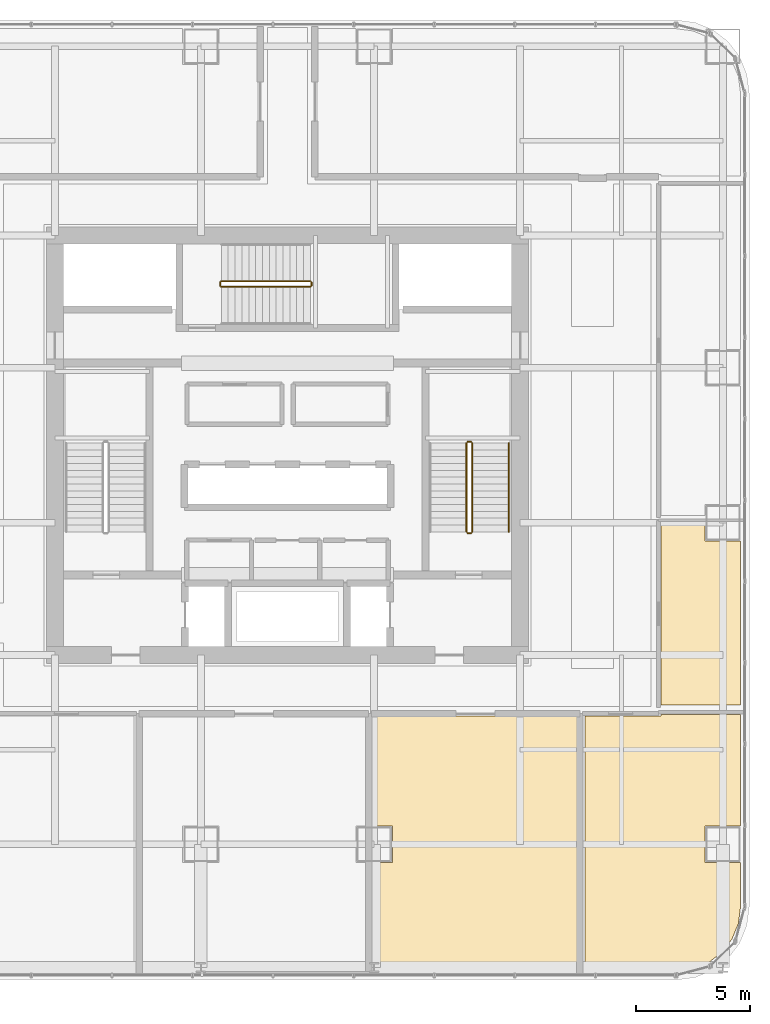
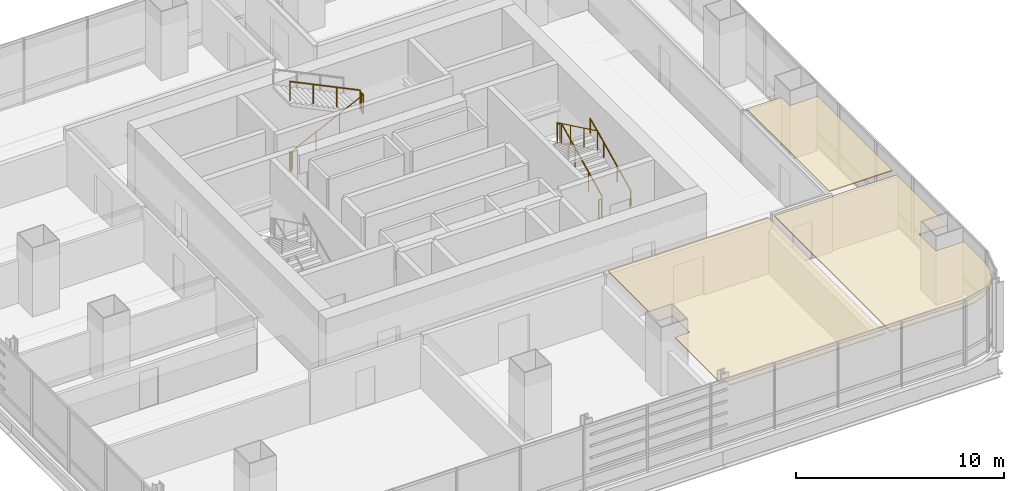
# One storey, part 35 of 36: 9 railings, 3 coverings.
"""IFC4 building model written with IfcOpenShell, lengths in metres."""

from ifc_helpers import new_model, si_unit, direction, frame, origin, origin_2d, place, context, subcontext, project, spatial, polyline, circle, outline, extrude, material, layer, layer_set, type_object, element, save


model = new_model("IFC4")

# Units and contexts
model_context = context("Model", 3, precision=1e-05, world=origin(), true_north=direction((0.0, 1.0)))
body_context = subcontext(model_context, "Body", "Model", "MODEL_VIEW")
ifc_project = project(units=[si_unit("LENGTHUNIT", "METRE"), si_unit("AREAUNIT", "SQUARE_METRE"), si_unit("VOLUMEUNIT", "CUBIC_METRE"), si_unit("PLANEANGLEUNIT", "RADIAN"), si_unit("MASSUNIT", "GRAM", prefix="KILO")], contexts=[model_context])

# Site, building, storey
site_placement = place(None, origin())
site = spatial("IfcSite", under=ifc_project, at=site_placement, CompositionType="ELEMENT")
building_placement = place(site_placement, origin())
building = spatial("IfcBuilding", under=site, at=building_placement, Name="Punatoya Terracotta Tower", CompositionType="ELEMENT")
storey_placement = place(building_placement, frame((0.0, 0.0, 48.449951171875)))
storey = spatial("IfcBuildingStorey", under=building, at=storey_placement, Name="L10", CompositionType="ELEMENT", Elevation=48.449951171875)

# Coverings
ifc_material_1 = material(Name="Acoustic Mineral Fibre Ceiling")
ifc_layer = layer(ifc_material_1, 0.06005859375)
ifc_layer_set = layer_set([ifc_layer], Name="Acoustic Mineral Fibre Ceiling")
covering_type = type_object("IfcCoveringType", Name="COV-CEIL-60", PredefinedType="CEILING", material=ifc_layer_set)
covering_1_placement = place(storey_placement, frame((0.0, 0.0, 3.199951171875)))
element("IfcCovering", 1, at=covering_1_placement, inside=storey, type_object=covering_type, Name="L10 Open-Plan Executive Bistro Lounge Acoustic Ceiling", PredefinedType="CEILING", context=body_context, shape_type="SweptSolid", body=[
    extrude(outline(polyline([(3.779052734375, -22.626953125), (4.05810546875, -22.626953125), (4.05810546875, -23.070068359375), (12.718994140625, -23.070068359375), (12.718994140625, -11.8701171875), (3.779052734375, -11.8701171875), (3.779052734375, -16.699951171875), (4.60009765625, -16.699951171875), (4.60009765625, -18.300048828125), (3.779052734375, -18.300048828125), (3.779052734375, -22.626953125)])), origin(), (0.0, 0.0, 1.0), 0.06005859375),
])
covering_2_placement = place(storey_placement, frame((0.0, 0.0, 3.199951171875)))
element("IfcCovering", 2, at=covering_2_placement, inside=storey, type_object=covering_type, Name="L10 Open-Plan Visitor Reception Salon Acoustic Ceiling", PredefinedType="CEILING", context=body_context, shape_type="SweptSolid", body=[
    extrude(outline(polyline([(16.3701171875, -11.8701171875), (13.0390625, -11.8701171875), (13.0390625, -23.070068359375), (17.025146484375, -23.070068359375), (17.779052734375, -22.970703125), (18.458251953125, -22.689453125), (19.041748046875, -22.24169921875), (19.489501953125, -21.658203125), (19.770751953125, -20.97900390625), (19.8701171875, -20.22509765625), (19.8701171875, -18.300048828125), (18.300048828125, -18.300048828125), (18.300048828125, -16.699951171875), (19.8701171875, -16.699951171875), (19.8701171875, -11.81005859375), (16.3701171875, -11.81005859375), (16.3701171875, -11.8701171875)])), origin(), (0.0, 0.0, 1.0), 0.06005859375),
])
covering_3_placement = place(storey_placement, frame((0.0, 0.0, 3.199951171875)))
element("IfcCovering", 3, at=covering_3_placement, inside=storey, type_object=covering_type, Name="L10 Open-Plan Private Dining Boardroom Acoustic Ceiling", PredefinedType="CEILING", context=body_context, shape_type="SweptSolid", body=[
    extrude(outline(polyline([(19.8701171875, -11.389892578125), (19.8701171875, -4.199951171875), (18.300048828125, -4.199951171875), (18.300048828125, -3.39404296875), (16.3701171875, -3.39404296875), (16.3701171875, -11.389892578125), (19.8701171875, -11.389892578125)])), origin(), (0.0, 0.0, 1.0), 0.06005859375),
])

# Railings
ifc_material_2 = material(Name="Steel S355", Category="steel")
railing_type_1 = type_object("IfcRailingType", Name="RLG-GRD-1150", PredefinedType="GUARDRAIL", material=ifc_material_2)
railing_1_placement = place(storey_placement, frame((8.10009765625, -3.800048828125, 0.144775390625)))
element("IfcRailing", 4, at=railing_1_placement, inside=storey, type_object=railing_type_1, Name="L10 ST-2 stair guard 1", PredefinedType="GUARDRAIL", context=body_context, shape_type="SweptSolid", body=[
    extrude(circle(Radius=0.02392578125, at=origin_2d()), frame((0.0, 0.0, 1.1259765625), z_axis=(0.0, 0.900773802044, 0.434288564841), x_axis=(-1.0, 0.0, 0.0)), (0.0, 0.0, 1.0), 4.329833984375),
    extrude(circle(Radius=0.02099609375, at=origin_2d()), origin(), (0.0, 0.0, 1.0), 1.101806640625),
    extrude(circle(Radius=0.02099609375, at=origin_2d()), frame((0.0, 1.300048828125, 0.626708984375)), (0.0, 0.0, 1.0), 1.101806640625),
    extrude(circle(Radius=0.02099609375, at=origin_2d()), frame((0.0, 2.60009765625, 1.253662109375)), (0.0, 0.0, 1.0), 1.101806640625),
    extrude(circle(Radius=0.02099609375, at=origin_2d()), frame((0.0, 3.900146484375, 1.88037109375)), (0.0, 0.0, 1.0), 1.101806640625),
])
railing_2_placement = place(storey_placement, frame((8.050048828125, 0.14990234375, 2.025146484375)))
element("IfcRailing", 5, at=railing_2_placement, inside=storey, type_object=railing_type_1, Name="L10 ST-2 stair guard 2", PredefinedType="GUARDRAIL", context=body_context, shape_type="SweptSolid", body=[
    extrude(circle(Radius=0.02392578125, at=origin_2d()), frame((0.0, 0.0, 1.1259765625), z_axis=(-1.0, 0.0, 0.0), x_axis=(0.0, -1.0, 0.0)), (0.0, 0.0, 1.0), 0.150146484375),
    extrude(circle(Radius=0.02099609375, at=origin_2d()), origin(), (0.0, 0.0, 1.0), 1.101806640625),
    extrude(circle(Radius=0.02099609375, at=origin_2d()), frame((-0.150146484375, 0.0, 0.0)), (0.0, 0.0, 1.0), 1.101806640625),
])
railing_3_placement = place(storey_placement, frame((7.85009765625, 0.10009765625, 2.169677734375)))
element("IfcRailing", 6, at=railing_3_placement, inside=storey, type_object=railing_type_1, Name="L10 ST-2 stair guard 3", PredefinedType="GUARDRAIL", context=body_context, shape_type="SweptSolid", body=[
    extrude(circle(Radius=0.02392578125, at=origin_2d()), frame((0.0, 0.0, 1.1259765625), z_axis=(0.0, -0.900773802044, 0.434288564841), x_axis=(1.0, 0.0, 0.0)), (0.0, 0.0, 1.0), 4.329833984375),
    extrude(circle(Radius=0.02099609375, at=origin_2d()), origin(), (0.0, 0.0, 1.0), 1.101806640625),
    extrude(circle(Radius=0.02099609375, at=origin_2d()), frame((0.0, -1.300048828125, 0.626708984375)), (0.0, 0.0, 1.0), 1.101806640625),
    extrude(circle(Radius=0.02099609375, at=origin_2d()), frame((0.0, -2.60009765625, 1.253662109375)), (0.0, 0.0, 1.0), 1.101806640625),
    extrude(circle(Radius=0.02099609375, at=origin_2d()), frame((0.0, -3.900146484375, 1.88037109375)), (0.0, 0.0, 1.0), 1.101806640625),
])
railing_4_placement = place(storey_placement, frame((8.050048828125, -3.85009765625, 0.0)))
element("IfcRailing", 7, at=railing_4_placement, inside=storey, type_object=railing_type_1, Name="L10 ST-2 stair guard 4", PredefinedType="GUARDRAIL", context=body_context, shape_type="SweptSolid", body=[
    extrude(circle(Radius=0.02392578125, at=origin_2d()), frame((0.0, 0.0, 1.1259765625), z_axis=(-1.0, 0.0, 0.0), x_axis=(0.0, -1.0, 0.0)), (0.0, 0.0, 1.0), 0.150146484375),
    extrude(circle(Radius=0.02099609375, at=origin_2d()), origin(), (0.0, 0.0, 1.0), 1.101806640625),
    extrude(circle(Radius=0.02099609375, at=origin_2d()), frame((-0.150146484375, 0.0, 0.0)), (0.0, 0.0, 1.0), 1.101806640625),
])
railing_5_placement = place(storey_placement, frame((-2.89990234375, 6.949951171875, 0.144775390625)))
element("IfcRailing", 8, at=railing_5_placement, inside=storey, type_object=railing_type_1, Name="L10 ST-3 stair guard 1", PredefinedType="GUARDRAIL", context=body_context, shape_type="SweptSolid", body=[
    extrude(circle(Radius=0.02392578125, at=origin_2d()), frame((0.0, 0.0, 1.1259765625), z_axis=(0.900763166376, 0.0, 0.434310623978), x_axis=(0.0, 1.0, 0.0)), (0.0, 0.0, 1.0), 4.32958984375),
    extrude(circle(Radius=0.02099609375, at=origin_2d()), origin(), (0.0, 0.0, 1.0), 1.101806640625),
    extrude(circle(Radius=0.02099609375, at=origin_2d()), frame((1.300048828125, 0.0, 0.626708984375)), (0.0, 0.0, 1.0), 1.101806640625),
    extrude(circle(Radius=0.02099609375, at=origin_2d()), frame((2.599853515625, 0.0, 1.253662109375)), (0.0, 0.0, 1.0), 1.101806640625),
    extrude(circle(Radius=0.02099609375, at=origin_2d()), frame((3.89990234375, 0.0, 1.88037109375)), (0.0, 0.0, 1.0), 1.101806640625),
])
railing_6_placement = place(storey_placement, frame((1.050048828125, 7.0, 2.025146484375)))
element("IfcRailing", 9, at=railing_6_placement, inside=storey, type_object=railing_type_1, Name="L10 ST-3 stair guard 2", PredefinedType="GUARDRAIL", context=body_context, shape_type="SweptSolid", body=[
    extrude(circle(Radius=0.02392578125, at=origin_2d()), frame((0.0, 0.0, 1.1259765625), z_axis=(0.0, 1.0, 0.0), x_axis=(-1.0, 0.0, 0.0)), (0.0, 0.0, 1.0), 0.14990234375),
    extrude(circle(Radius=0.02099609375, at=origin_2d()), origin(), (0.0, 0.0, 1.0), 1.101806640625),
    extrude(circle(Radius=0.02099609375, at=origin_2d()), frame((0.0, 0.14990234375, 0.0)), (0.0, 0.0, 1.0), 1.101806640625),
])
railing_7_placement = place(storey_placement, frame((1.0, 7.199951171875, 2.169677734375)))
element("IfcRailing", 10, at=railing_7_placement, inside=storey, type_object=railing_type_1, Name="L10 ST-3 stair guard 3", PredefinedType="GUARDRAIL", context=body_context, shape_type="SweptSolid", body=[
    extrude(circle(Radius=0.02392578125, at=origin_2d()), frame((0.0, 0.0, 1.1259765625), z_axis=(-0.900763166376, 0.0, 0.434310623978), x_axis=(0.0, -1.0, 0.0)), (0.0, 0.0, 1.0), 4.32958984375),
    extrude(circle(Radius=0.02099609375, at=origin_2d()), origin(), (0.0, 0.0, 1.0), 1.101806640625),
    extrude(circle(Radius=0.02099609375, at=origin_2d()), frame((-1.300048828125, 0.0, 0.626708984375)), (0.0, 0.0, 1.0), 1.101806640625),
    extrude(circle(Radius=0.02099609375, at=origin_2d()), frame((-2.599853515625, 0.0, 1.253662109375)), (0.0, 0.0, 1.0), 1.101806640625),
    extrude(circle(Radius=0.02099609375, at=origin_2d()), frame((-3.89990234375, 0.0, 1.88037109375)), (0.0, 0.0, 1.0), 1.101806640625),
])
railing_8_placement = place(storey_placement, frame((-2.949951171875, 7.0, 0.0)))
element("IfcRailing", 11, at=railing_8_placement, inside=storey, type_object=railing_type_1, Name="L10 ST-3 stair guard 4", PredefinedType="GUARDRAIL", context=body_context, shape_type="SweptSolid", body=[
    extrude(circle(Radius=0.02392578125, at=origin_2d()), frame((0.0, 0.0, 1.1259765625), z_axis=(0.0, 1.0, 0.0), x_axis=(-1.0, 0.0, 0.0)), (0.0, 0.0, 1.0), 0.14990234375),
    extrude(circle(Radius=0.02099609375, at=origin_2d()), origin(), (0.0, 0.0, 1.0), 1.101806640625),
    extrude(circle(Radius=0.02099609375, at=origin_2d()), frame((0.0, 0.14990234375, 0.0)), (0.0, 0.0, 1.0), 1.101806640625),
])
railing_type_2 = type_object("IfcRailingType", Name="RLG-HND-900", PredefinedType="HANDRAIL", material=ifc_material_2)
railing_9_placement = place(storey_placement, frame((9.699951171875, -3.800048828125, 0.144775390625)))
element("IfcRailing", 12, at=railing_9_placement, inside=storey, type_object=railing_type_2, Name="L10 ST-2 stair handrail 1", PredefinedType="HANDRAIL", context=body_context, shape_type="SweptSolid", body=[
    extrude(circle(Radius=0.02392578125, at=origin_2d()), frame((0.0, 0.0, 0.8759765625), z_axis=(0.0, 0.900773802044, 0.434288564841), x_axis=(-1.0, 0.0, 0.0)), (0.0, 0.0, 1.0), 4.329833984375),
    extrude(circle(Radius=0.02099609375, at=origin_2d()), origin(), (0.0, 0.0, 1.0), 0.851806640625),
    extrude(circle(Radius=0.02099609375, at=origin_2d()), frame((0.0, 1.300048828125, 0.626708984375)), (0.0, 0.0, 1.0), 0.851806640625),
    extrude(circle(Radius=0.02099609375, at=origin_2d()), frame((0.0, 2.60009765625, 1.253662109375)), (0.0, 0.0, 1.0), 0.851806640625),
    extrude(circle(Radius=0.02099609375, at=origin_2d()), frame((0.0, 3.900146484375, 1.88037109375)), (0.0, 0.0, 1.0), 0.851806640625),
])

save(model, "model.ifc")
